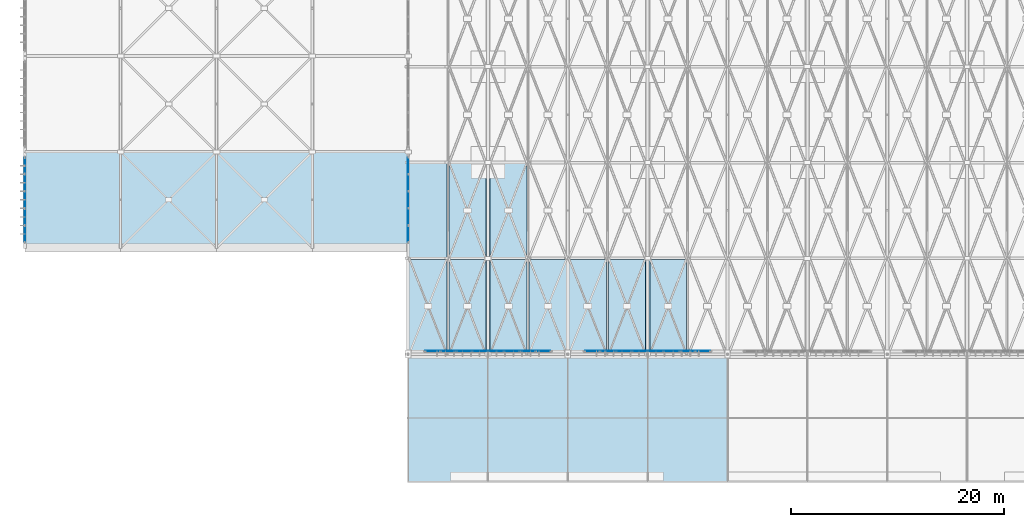
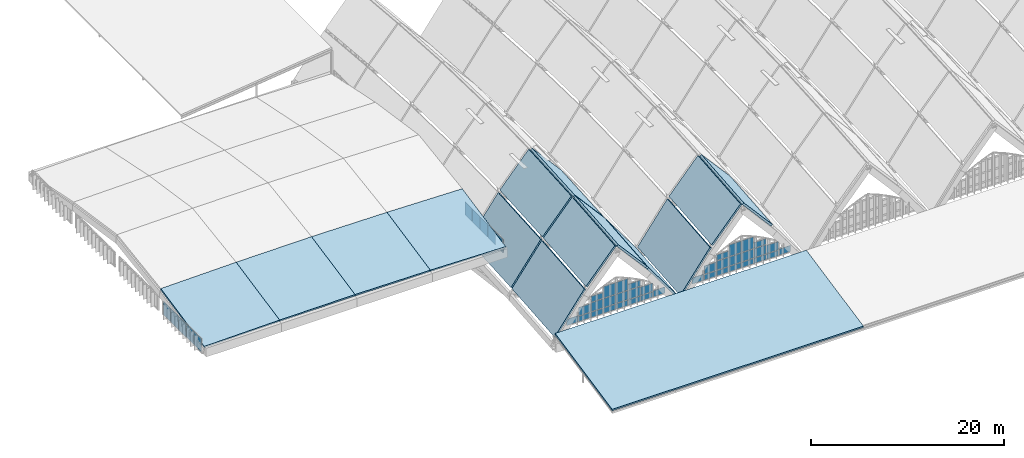
# One storey, part 56 of 93: 46 plates, 15 slabs, 5 elements without a shape of their own.
"""IFC4 building model written with IfcOpenShell, lengths in metres."""

from ifc_helpers import new_model, si_unit, direction, frame, origin, origin_2d, place, context, subcontext, project, spatial, polyline, rectangle, outline, extrude, material, layer, layer_set, type_object, element, aggregate, save


model = new_model("IFC4")

# Units and contexts
model_context = context("Model", 3, precision=1e-05, world=origin(), true_north=direction((0.0, 1.0)))
body_context = subcontext(model_context, "Body", "Model", "MODEL_VIEW")
ifc_project = project(units=[si_unit("LENGTHUNIT", "METRE"), si_unit("AREAUNIT", "SQUARE_METRE"), si_unit("VOLUMEUNIT", "CUBIC_METRE"), si_unit("PLANEANGLEUNIT", "RADIAN"), si_unit("MASSUNIT", "GRAM", prefix="KILO")], contexts=[model_context])

# Site, building, storey
site_placement = place(None, origin())
site = spatial("IfcSite", under=ifc_project, at=site_placement, CompositionType="ELEMENT")
building_placement = place(site_placement, origin())
building = spatial("IfcBuilding", under=site, at=building_placement, Name="Vourika Railside Aquatics Centre", CompositionType="ELEMENT")
storey_placement = place(building_placement, frame((0.0, 0.0, 21.89990234375)))
storey = spatial("IfcBuildingStorey", under=building, at=storey_placement, Name="Roof", CompositionType="ELEMENT", Elevation=21.89990234375)

# Curtain wall, plates
ifc_material_1 = material(Name="Anodized thermally broken aluminium", Category="aluminium")
curtain_wall_type_1 = type_object("IfcCurtainWallType", Name="CW-DIVEE", PredefinedType="NOTDEFINED", material=ifc_material_1)
curtain_wall_1_placement = place(storey_placement, origin())
curtain_wall_1 = element("IfcCurtainWall", 1, at=curtain_wall_1_placement, inside=storey, type_object=curtain_wall_type_1, Name="Diving Hall East Clerestory Curtain Wall 1", PredefinedType="NOTDEFINED")
ifc_material_2 = material(Name="Low-E solar-control laminated double glazing", Category="glass")
ifc_layer_1 = layer(ifc_material_2, 0.0400390625, Name="CWP-DIVEE")
ifc_layer_set_1 = layer_set([ifc_layer_1], Name="Low-E solar-control laminated double glazing")
plate_type_1 = type_object("IfcPlateType", Name="CWP-DIVEE", PredefinedType="CURTAIN_PANEL", material=ifc_layer_set_1)
plate_1_placement = place(storey_placement, frame((36.0, 23.302978515625, -6.223876953125), z_axis=(0.0, 0.0, 1.0), x_axis=(0.0, 1.0, 0.0)))
plate_1 = element("IfcPlate", 2, at=plate_1_placement, type_object=plate_type_1, Name="CW06 panel 1.1", PredefinedType="CURTAIN_PANEL", context=body_context, shape_type="SweptSolid", body=[
    extrude(rectangle(XDim=1.493896484375, YDim=0.0400390625, at=origin_2d()), origin(), (0.0, 0.0, 1.0), 1.64794921875),
])
plate_2_placement = place(storey_placement, frame((36.0, 24.89208984375, -6.223876953125), z_axis=(0.0, 0.0, 1.0), x_axis=(0.0, 1.0, 0.0)))
plate_2 = element("IfcPlate", 3, at=plate_2_placement, type_object=plate_type_1, Name="CW06 panel 2.1", PredefinedType="CURTAIN_PANEL", context=body_context, shape_type="SweptSolid", body=[
    extrude(rectangle(XDim=1.531982421875, YDim=0.0400390625, at=origin_2d()), origin(), (0.0, 0.0, 1.0), 1.64794921875),
])
plate_3_placement = place(storey_placement, frame((36.0, 26.5, -6.223876953125), z_axis=(0.0, 0.0, 1.0), x_axis=(0.0, 1.0, 0.0)))
plate_3 = element("IfcPlate", 4, at=plate_3_placement, type_object=plate_type_1, Name="CW06 panel 3.1", PredefinedType="CURTAIN_PANEL", context=body_context, shape_type="SweptSolid", body=[
    extrude(rectangle(XDim=1.531982421875, YDim=0.0400390625, at=origin_2d()), origin(), (0.0, 0.0, 1.0), 1.64794921875),
])
plate_4_placement = place(storey_placement, frame((36.0, 28.10791015625, -6.223876953125), z_axis=(0.0, 0.0, 1.0), x_axis=(0.0, 1.0, 0.0)))
plate_4 = element("IfcPlate", 5, at=plate_4_placement, type_object=plate_type_1, Name="CW06 panel 4.1", PredefinedType="CURTAIN_PANEL", context=body_context, shape_type="SweptSolid", body=[
    extrude(rectangle(XDim=1.531982421875, YDim=0.0400390625, at=origin_2d()), origin(), (0.0, 0.0, 1.0), 1.64794921875),
])
plate_5_placement = place(storey_placement, frame((36.0, 29.697021484375, -6.223876953125), z_axis=(0.0, 0.0, 1.0), x_axis=(0.0, 1.0, 0.0)))
plate_5 = element("IfcPlate", 6, at=plate_5_placement, type_object=plate_type_1, Name="CW06 panel 5.1", PredefinedType="CURTAIN_PANEL", context=body_context, shape_type="SweptSolid", body=[
    extrude(rectangle(XDim=1.493896484375, YDim=0.0400390625, at=origin_2d()), origin(), (0.0, 0.0, 1.0), 1.64794921875),
])
aggregate(curtain_wall_1, [plate_1, plate_2, plate_3, plate_4, plate_5])

curtain_wall_type_2 = type_object("IfcCurtainWallType", Name="CW-DIVEW", PredefinedType="NOTDEFINED", material=ifc_material_1)
curtain_wall_2_placement = place(storey_placement, origin())
curtain_wall_2 = element("IfcCurtainWall", 7, at=curtain_wall_2_placement, inside=storey, type_object=curtain_wall_type_2, Name="Diving Hall West Clerestory Curtain Wall 1", PredefinedType="NOTDEFINED")
ifc_layer_2 = layer(ifc_material_2, 0.0400390625, Name="CWP-DIVEW")
ifc_layer_set_2 = layer_set([ifc_layer_2], Name="Low-E solar-control laminated double glazing")
plate_type_2 = type_object("IfcPlateType", Name="CWP-DIVEW", PredefinedType="CURTAIN_PANEL", material=ifc_layer_set_2)
plate_6_placement = place(storey_placement, frame((0.0, 29.696533203125, -6.22216796875), z_axis=(0.0, 0.0, 1.0), x_axis=(0.0, -1.0, 0.0)))
plate_6 = element("IfcPlate", 8, at=plate_6_placement, type_object=plate_type_2, Name="CW05 panel 1.1", PredefinedType="CURTAIN_PANEL", context=body_context, shape_type="SweptSolid", body=[
    extrude(rectangle(XDim=1.490966796875, YDim=0.0400390625, at=origin_2d()), origin(), (0.0, 0.0, 1.0), 1.694091796875),
])
plate_7_placement = place(storey_placement, frame((0.0, 28.10791015625, -6.22216796875), z_axis=(0.0, 0.0, 1.0), x_axis=(0.0, -1.0, 0.0)))
plate_7 = element("IfcPlate", 9, at=plate_7_placement, type_object=plate_type_2, Name="CW05 panel 2.1", PredefinedType="CURTAIN_PANEL", context=body_context, shape_type="SweptSolid", body=[
    extrude(rectangle(XDim=1.530029296875, YDim=0.0400390625, at=origin_2d()), origin(), (0.0, 0.0, 1.0), 1.694091796875),
])
plate_8_placement = place(storey_placement, frame((0.0, 26.5, -6.22216796875), z_axis=(0.0, 0.0, 1.0), x_axis=(0.0, -1.0, 0.0)))
plate_8 = element("IfcPlate", 10, at=plate_8_placement, type_object=plate_type_2, Name="CW05 panel 3.1", PredefinedType="CURTAIN_PANEL", context=body_context, shape_type="SweptSolid", body=[
    extrude(rectangle(XDim=1.530029296875, YDim=0.0400390625, at=origin_2d()), origin(), (0.0, 0.0, 1.0), 1.694091796875),
])
plate_9_placement = place(storey_placement, frame((0.0, 24.89208984375, -6.22216796875), z_axis=(0.0, 0.0, 1.0), x_axis=(0.0, -1.0, 0.0)))
plate_9 = element("IfcPlate", 11, at=plate_9_placement, type_object=plate_type_2, Name="CW05 panel 4.1", PredefinedType="CURTAIN_PANEL", context=body_context, shape_type="SweptSolid", body=[
    extrude(rectangle(XDim=1.530029296875, YDim=0.0400390625, at=origin_2d()), origin(), (0.0, 0.0, 1.0), 1.694091796875),
])
plate_10_placement = place(storey_placement, frame((0.0, 23.303466796875, -6.22216796875), z_axis=(0.0, 0.0, 1.0), x_axis=(0.0, -1.0, 0.0)))
plate_10 = element("IfcPlate", 12, at=plate_10_placement, type_object=plate_type_2, Name="CW05 panel 5.1", PredefinedType="CURTAIN_PANEL", context=body_context, shape_type="SweptSolid", body=[
    extrude(rectangle(XDim=1.490966796875, YDim=0.0400390625, at=origin_2d()), origin(), (0.0, 0.0, 1.0), 1.694091796875),
])
aggregate(curtain_wall_2, [plate_6, plate_7, plate_8, plate_9, plate_10])

curtain_wall_type_3 = type_object("IfcCurtainWallType", Name="CW-VLTS1", PredefinedType="NOTDEFINED", material=ifc_material_1)
curtain_wall_3_placement = place(storey_placement, origin())
curtain_wall_3 = element("IfcCurtainWall", 13, at=curtain_wall_3_placement, inside=storey, type_object=curtain_wall_type_3, Name="South Boulevard Pointed-Arch Clerestory Curtain Wall Bay 1", PredefinedType="NOTDEFINED")
ifc_layer_3 = layer(ifc_material_2, 0.048095703125, Name="CWP-VLTS1")
ifc_layer_set_3 = layer_set([ifc_layer_3], Name="Low-E solar-control laminated double glazing")
plate_type_3 = type_object("IfcPlateType", Name="CWP-VLTS1", PredefinedType="CURTAIN_PANEL", material=ifc_layer_set_3)
plate_11_placement = place(storey_placement, frame((38.314208984375, 12.280029296875, -9.7978515625), z_axis=(0.0, 0.0, 1.0), x_axis=(1.0, 0.0, 0.0)))
plate_11 = element("IfcPlate", 14, at=plate_11_placement, type_object=plate_type_3, Name="CW03 glazed panel 1.1", PredefinedType="CURTAIN_PANEL", context=body_context, shape_type="SweptSolid", body=[
    extrude(rectangle(XDim=1.364501953125, YDim=0.048095703125, at=origin_2d()), origin(), (0.0, 0.0, 1.0), 0.77587890625),
])
plate_12_placement = place(storey_placement, frame((39.78125, 12.280029296875, -9.7978515625), z_axis=(0.0, 0.0, 1.0), x_axis=(1.0, 0.0, 0.0)))
plate_12 = element("IfcPlate", 15, at=plate_12_placement, type_object=plate_type_3, Name="CW03 glazed panel 2.1", PredefinedType="CURTAIN_PANEL", context=body_context, shape_type="SweptSolid", body=[
    extrude(rectangle(XDim=1.405517578125, YDim=0.048095703125, at=origin_2d()), origin(), (0.0, 0.0, 1.0), 0.656982421875),
])
plate_13_placement = place(storey_placement, frame((39.78125, 12.280029296875, -9.05908203125), z_axis=(0.0, 0.0, 1.0), x_axis=(1.0, 0.0, 0.0)))
plate_13 = element("IfcPlate", 16, at=plate_13_placement, type_object=plate_type_3, Name="CW03 glazed panel 2.2", PredefinedType="CURTAIN_PANEL", context=body_context, shape_type="SweptSolid", body=[
    extrude(rectangle(XDim=1.405517578125, YDim=0.048095703125, at=origin_2d()), origin(), (0.0, 0.0, 1.0), 1.029052734375),
])
plate_14_placement = place(storey_placement, frame((41.268798828125, 12.280029296875, -9.7978515625), z_axis=(0.0, 0.0, 1.0), x_axis=(1.0, 0.0, 0.0)))
plate_14 = element("IfcPlate", 17, at=plate_14_placement, type_object=plate_type_3, Name="CW03 glazed panel 3.1", PredefinedType="CURTAIN_PANEL", context=body_context, shape_type="SweptSolid", body=[
    extrude(rectangle(XDim=1.405517578125, YDim=0.048095703125, at=origin_2d()), origin(), (0.0, 0.0, 1.0), 0.656982421875),
])
plate_15_placement = place(storey_placement, frame((41.268798828125, 12.280029296875, -9.05908203125), z_axis=(0.0, 0.0, 1.0), x_axis=(1.0, 0.0, 0.0)))
plate_15 = element("IfcPlate", 18, at=plate_15_placement, type_object=plate_type_3, Name="CW03 glazed panel 3.2", PredefinedType="CURTAIN_PANEL", context=body_context, shape_type="SweptSolid", body=[
    extrude(rectangle(XDim=1.405517578125, YDim=0.048095703125, at=origin_2d()), origin(), (0.0, 0.0, 1.0), 1.117919921875),
])
plate_16_placement = place(storey_placement, frame((41.268798828125, 12.280029296875, -7.85888671875), z_axis=(0.0, 0.0, 1.0), x_axis=(1.0, 0.0, 0.0)))
plate_16 = element("IfcPlate", 19, at=plate_16_placement, type_object=plate_type_3, Name="CW03 glazed panel 3.3", PredefinedType="CURTAIN_PANEL", context=body_context, shape_type="SweptSolid", body=[
    extrude(rectangle(XDim=1.405517578125, YDim=0.048095703125, at=origin_2d()), origin(), (0.0, 0.0, 1.0), 0.708984375),
])
plate_17_placement = place(storey_placement, frame((42.75634765625, 12.280029296875, -9.7978515625), z_axis=(0.0, 0.0, 1.0), x_axis=(1.0, 0.0, 0.0)))
plate_17 = element("IfcPlate", 20, at=plate_17_placement, type_object=plate_type_3, Name="CW03 glazed panel 4.1", PredefinedType="CURTAIN_PANEL", context=body_context, shape_type="SweptSolid", body=[
    extrude(rectangle(XDim=1.405517578125, YDim=0.048095703125, at=origin_2d()), origin(), (0.0, 0.0, 1.0), 0.656982421875),
])
plate_18_placement = place(storey_placement, frame((42.75634765625, 12.280029296875, -9.05908203125), z_axis=(0.0, 0.0, 1.0), x_axis=(1.0, 0.0, 0.0)))
plate_18 = element("IfcPlate", 21, at=plate_18_placement, type_object=plate_type_3, Name="CW03 glazed panel 4.2", PredefinedType="CURTAIN_PANEL", context=body_context, shape_type="SweptSolid", body=[
    extrude(rectangle(XDim=1.405517578125, YDim=0.048095703125, at=origin_2d()), origin(), (0.0, 0.0, 1.0), 1.117919921875),
])
plate_19_placement = place(storey_placement, frame((42.75634765625, 12.280029296875, -7.85888671875), z_axis=(0.0, 0.0, 1.0), x_axis=(1.0, 0.0, 0.0)))
plate_19 = element("IfcPlate", 22, at=plate_19_placement, type_object=plate_type_3, Name="CW03 glazed panel 4.3", PredefinedType="CURTAIN_PANEL", context=body_context, shape_type="SweptSolid", body=[
    extrude(rectangle(XDim=1.405517578125, YDim=0.048095703125, at=origin_2d()), origin(), (0.0, 0.0, 1.0), 1.446044921875),
])
plate_20_placement = place(storey_placement, frame((44.24365234375, 12.280029296875, -9.7978515625), z_axis=(0.0, 0.0, 1.0), x_axis=(1.0, 0.0, 0.0)))
plate_20 = element("IfcPlate", 23, at=plate_20_placement, type_object=plate_type_3, Name="CW03 glazed panel 5.1", PredefinedType="CURTAIN_PANEL", context=body_context, shape_type="SweptSolid", body=[
    extrude(rectangle(XDim=1.405517578125, YDim=0.048095703125, at=origin_2d()), origin(), (0.0, 0.0, 1.0), 0.656982421875),
])
plate_21_placement = place(storey_placement, frame((44.24365234375, 12.280029296875, -9.05908203125), z_axis=(0.0, 0.0, 1.0), x_axis=(1.0, 0.0, 0.0)))
plate_21 = element("IfcPlate", 24, at=plate_21_placement, type_object=plate_type_3, Name="CW03 glazed panel 5.2", PredefinedType="CURTAIN_PANEL", context=body_context, shape_type="SweptSolid", body=[
    extrude(rectangle(XDim=1.405517578125, YDim=0.048095703125, at=origin_2d()), origin(), (0.0, 0.0, 1.0), 1.117919921875),
])
plate_22_placement = place(storey_placement, frame((44.24365234375, 12.280029296875, -7.85888671875), z_axis=(0.0, 0.0, 1.0), x_axis=(1.0, 0.0, 0.0)))
plate_22 = element("IfcPlate", 25, at=plate_22_placement, type_object=plate_type_3, Name="CW03 glazed panel 5.3", PredefinedType="CURTAIN_PANEL", context=body_context, shape_type="SweptSolid", body=[
    extrude(rectangle(XDim=1.405517578125, YDim=0.048095703125, at=origin_2d()), origin(), (0.0, 0.0, 1.0), 1.446044921875),
])
plate_23_placement = place(storey_placement, frame((45.731201171875, 12.280029296875, -9.7978515625), z_axis=(0.0, 0.0, 1.0), x_axis=(1.0, 0.0, 0.0)))
plate_23 = element("IfcPlate", 26, at=plate_23_placement, type_object=plate_type_3, Name="CW03 glazed panel 6.1", PredefinedType="CURTAIN_PANEL", context=body_context, shape_type="SweptSolid", body=[
    extrude(rectangle(XDim=1.405517578125, YDim=0.048095703125, at=origin_2d()), origin(), (0.0, 0.0, 1.0), 0.656982421875),
])
plate_24_placement = place(storey_placement, frame((45.731201171875, 12.280029296875, -9.05908203125), z_axis=(0.0, 0.0, 1.0), x_axis=(1.0, 0.0, 0.0)))
plate_24 = element("IfcPlate", 27, at=plate_24_placement, type_object=plate_type_3, Name="CW03 glazed panel 6.2", PredefinedType="CURTAIN_PANEL", context=body_context, shape_type="SweptSolid", body=[
    extrude(rectangle(XDim=1.405517578125, YDim=0.048095703125, at=origin_2d()), origin(), (0.0, 0.0, 1.0), 1.117919921875),
])
plate_25_placement = place(storey_placement, frame((45.731201171875, 12.280029296875, -7.85888671875), z_axis=(0.0, 0.0, 1.0), x_axis=(1.0, 0.0, 0.0)))
plate_25 = element("IfcPlate", 28, at=plate_25_placement, type_object=plate_type_3, Name="CW03 glazed panel 6.3", PredefinedType="CURTAIN_PANEL", context=body_context, shape_type="SweptSolid", body=[
    extrude(rectangle(XDim=1.405517578125, YDim=0.048095703125, at=origin_2d()), origin(), (0.0, 0.0, 1.0), 0.708984375),
])
plate_26_placement = place(storey_placement, frame((47.21875, 12.280029296875, -9.7978515625), z_axis=(0.0, 0.0, 1.0), x_axis=(1.0, 0.0, 0.0)))
plate_26 = element("IfcPlate", 29, at=plate_26_placement, type_object=plate_type_3, Name="CW03 glazed panel 7.1", PredefinedType="CURTAIN_PANEL", context=body_context, shape_type="SweptSolid", body=[
    extrude(rectangle(XDim=1.405517578125, YDim=0.048095703125, at=origin_2d()), origin(), (0.0, 0.0, 1.0), 0.656982421875),
])
plate_27_placement = place(storey_placement, frame((47.21875, 12.280029296875, -9.05908203125), z_axis=(0.0, 0.0, 1.0), x_axis=(1.0, 0.0, 0.0)))
plate_27 = element("IfcPlate", 30, at=plate_27_placement, type_object=plate_type_3, Name="CW03 glazed panel 7.2", PredefinedType="CURTAIN_PANEL", context=body_context, shape_type="SweptSolid", body=[
    extrude(rectangle(XDim=1.405517578125, YDim=0.048095703125, at=origin_2d()), origin(), (0.0, 0.0, 1.0), 1.029052734375),
])
plate_28_placement = place(storey_placement, frame((48.685791015625, 12.280029296875, -9.7978515625), z_axis=(0.0, 0.0, 1.0), x_axis=(1.0, 0.0, 0.0)))
plate_28 = element("IfcPlate", 31, at=plate_28_placement, type_object=plate_type_3, Name="CW03 glazed panel 8.1", PredefinedType="CURTAIN_PANEL", context=body_context, shape_type="SweptSolid", body=[
    extrude(rectangle(XDim=1.364501953125, YDim=0.048095703125, at=origin_2d()), origin(), (0.0, 0.0, 1.0), 0.77587890625),
])
aggregate(curtain_wall_3, [plate_11, plate_12, plate_13, plate_14, plate_15, plate_16, plate_17, plate_18, plate_19, plate_20, plate_21, plate_22, plate_23, plate_24, plate_25, plate_26, plate_27, plate_28])

curtain_wall_4_placement = place(storey_placement, origin())
curtain_wall_4 = element("IfcCurtainWall", 32, at=curtain_wall_4_placement, inside=storey, type_object=curtain_wall_type_3, Name="South Boulevard Pointed-Arch Clerestory Curtain Wall Bay 2", PredefinedType="NOTDEFINED")
plate_29_placement = place(storey_placement, frame((53.314208984375, 12.280029296875, -9.7978515625), z_axis=(0.0, 0.0, 1.0), x_axis=(1.0, 0.0, 0.0)))
plate_29 = element("IfcPlate", 33, at=plate_29_placement, type_object=plate_type_3, Name="CW03 glazed panel 1.1", PredefinedType="CURTAIN_PANEL", context=body_context, shape_type="SweptSolid", body=[
    extrude(rectangle(XDim=1.364501953125, YDim=0.048095703125, at=origin_2d()), origin(), (0.0, 0.0, 1.0), 0.77587890625),
])
plate_30_placement = place(storey_placement, frame((54.78125, 12.280029296875, -9.7978515625), z_axis=(0.0, 0.0, 1.0), x_axis=(1.0, 0.0, 0.0)))
plate_30 = element("IfcPlate", 34, at=plate_30_placement, type_object=plate_type_3, Name="CW03 glazed panel 2.1", PredefinedType="CURTAIN_PANEL", context=body_context, shape_type="SweptSolid", body=[
    extrude(rectangle(XDim=1.405517578125, YDim=0.048095703125, at=origin_2d()), origin(), (0.0, 0.0, 1.0), 0.656982421875),
])
plate_31_placement = place(storey_placement, frame((54.78125, 12.280029296875, -9.05908203125), z_axis=(0.0, 0.0, 1.0), x_axis=(1.0, 0.0, 0.0)))
plate_31 = element("IfcPlate", 35, at=plate_31_placement, type_object=plate_type_3, Name="CW03 glazed panel 2.2", PredefinedType="CURTAIN_PANEL", context=body_context, shape_type="SweptSolid", body=[
    extrude(rectangle(XDim=1.405517578125, YDim=0.048095703125, at=origin_2d()), origin(), (0.0, 0.0, 1.0), 1.029052734375),
])
plate_32_placement = place(storey_placement, frame((56.268798828125, 12.280029296875, -9.7978515625), z_axis=(0.0, 0.0, 1.0), x_axis=(1.0, 0.0, 0.0)))
plate_32 = element("IfcPlate", 36, at=plate_32_placement, type_object=plate_type_3, Name="CW03 glazed panel 3.1", PredefinedType="CURTAIN_PANEL", context=body_context, shape_type="SweptSolid", body=[
    extrude(rectangle(XDim=1.405517578125, YDim=0.048095703125, at=origin_2d()), origin(), (0.0, 0.0, 1.0), 0.656982421875),
])
plate_33_placement = place(storey_placement, frame((56.268798828125, 12.280029296875, -9.05908203125), z_axis=(0.0, 0.0, 1.0), x_axis=(1.0, 0.0, 0.0)))
plate_33 = element("IfcPlate", 37, at=plate_33_placement, type_object=plate_type_3, Name="CW03 glazed panel 3.2", PredefinedType="CURTAIN_PANEL", context=body_context, shape_type="SweptSolid", body=[
    extrude(rectangle(XDim=1.405517578125, YDim=0.048095703125, at=origin_2d()), origin(), (0.0, 0.0, 1.0), 1.117919921875),
])
plate_34_placement = place(storey_placement, frame((56.268798828125, 12.280029296875, -7.85888671875), z_axis=(0.0, 0.0, 1.0), x_axis=(1.0, 0.0, 0.0)))
plate_34 = element("IfcPlate", 38, at=plate_34_placement, type_object=plate_type_3, Name="CW03 glazed panel 3.3", PredefinedType="CURTAIN_PANEL", context=body_context, shape_type="SweptSolid", body=[
    extrude(rectangle(XDim=1.405517578125, YDim=0.048095703125, at=origin_2d()), origin(), (0.0, 0.0, 1.0), 0.708984375),
])
plate_35_placement = place(storey_placement, frame((57.75634765625, 12.280029296875, -9.7978515625), z_axis=(0.0, 0.0, 1.0), x_axis=(1.0, 0.0, 0.0)))
plate_35 = element("IfcPlate", 39, at=plate_35_placement, type_object=plate_type_3, Name="CW03 glazed panel 4.1", PredefinedType="CURTAIN_PANEL", context=body_context, shape_type="SweptSolid", body=[
    extrude(rectangle(XDim=1.405517578125, YDim=0.048095703125, at=origin_2d()), origin(), (0.0, 0.0, 1.0), 0.656982421875),
])
plate_36_placement = place(storey_placement, frame((57.75634765625, 12.280029296875, -9.05908203125), z_axis=(0.0, 0.0, 1.0), x_axis=(1.0, 0.0, 0.0)))
plate_36 = element("IfcPlate", 40, at=plate_36_placement, type_object=plate_type_3, Name="CW03 glazed panel 4.2", PredefinedType="CURTAIN_PANEL", context=body_context, shape_type="SweptSolid", body=[
    extrude(rectangle(XDim=1.405517578125, YDim=0.048095703125, at=origin_2d()), origin(), (0.0, 0.0, 1.0), 1.117919921875),
])
plate_37_placement = place(storey_placement, frame((57.75634765625, 12.280029296875, -7.85888671875), z_axis=(0.0, 0.0, 1.0), x_axis=(1.0, 0.0, 0.0)))
plate_37 = element("IfcPlate", 41, at=plate_37_placement, type_object=plate_type_3, Name="CW03 glazed panel 4.3", PredefinedType="CURTAIN_PANEL", context=body_context, shape_type="SweptSolid", body=[
    extrude(rectangle(XDim=1.405517578125, YDim=0.048095703125, at=origin_2d()), origin(), (0.0, 0.0, 1.0), 1.446044921875),
])
plate_38_placement = place(storey_placement, frame((59.24365234375, 12.280029296875, -9.7978515625), z_axis=(0.0, 0.0, 1.0), x_axis=(1.0, 0.0, 0.0)))
plate_38 = element("IfcPlate", 42, at=plate_38_placement, type_object=plate_type_3, Name="CW03 glazed panel 5.1", PredefinedType="CURTAIN_PANEL", context=body_context, shape_type="SweptSolid", body=[
    extrude(rectangle(XDim=1.405517578125, YDim=0.048095703125, at=origin_2d()), origin(), (0.0, 0.0, 1.0), 0.656982421875),
])
plate_39_placement = place(storey_placement, frame((59.24365234375, 12.280029296875, -9.05908203125), z_axis=(0.0, 0.0, 1.0), x_axis=(1.0, 0.0, 0.0)))
plate_39 = element("IfcPlate", 43, at=plate_39_placement, type_object=plate_type_3, Name="CW03 glazed panel 5.2", PredefinedType="CURTAIN_PANEL", context=body_context, shape_type="SweptSolid", body=[
    extrude(rectangle(XDim=1.405517578125, YDim=0.048095703125, at=origin_2d()), origin(), (0.0, 0.0, 1.0), 1.117919921875),
])
plate_40_placement = place(storey_placement, frame((59.24365234375, 12.280029296875, -7.85888671875), z_axis=(0.0, 0.0, 1.0), x_axis=(1.0, 0.0, 0.0)))
plate_40 = element("IfcPlate", 44, at=plate_40_placement, type_object=plate_type_3, Name="CW03 glazed panel 5.3", PredefinedType="CURTAIN_PANEL", context=body_context, shape_type="SweptSolid", body=[
    extrude(rectangle(XDim=1.405517578125, YDim=0.048095703125, at=origin_2d()), origin(), (0.0, 0.0, 1.0), 1.446044921875),
])
plate_41_placement = place(storey_placement, frame((60.731201171875, 12.280029296875, -9.7978515625), z_axis=(0.0, 0.0, 1.0), x_axis=(1.0, 0.0, 0.0)))
plate_41 = element("IfcPlate", 45, at=plate_41_placement, type_object=plate_type_3, Name="CW03 glazed panel 6.1", PredefinedType="CURTAIN_PANEL", context=body_context, shape_type="SweptSolid", body=[
    extrude(rectangle(XDim=1.405517578125, YDim=0.048095703125, at=origin_2d()), origin(), (0.0, 0.0, 1.0), 0.656982421875),
])
plate_42_placement = place(storey_placement, frame((60.731201171875, 12.280029296875, -9.05908203125), z_axis=(0.0, 0.0, 1.0), x_axis=(1.0, 0.0, 0.0)))
plate_42 = element("IfcPlate", 46, at=plate_42_placement, type_object=plate_type_3, Name="CW03 glazed panel 6.2", PredefinedType="CURTAIN_PANEL", context=body_context, shape_type="SweptSolid", body=[
    extrude(rectangle(XDim=1.405517578125, YDim=0.048095703125, at=origin_2d()), origin(), (0.0, 0.0, 1.0), 1.117919921875),
])
plate_43_placement = place(storey_placement, frame((60.731201171875, 12.280029296875, -7.85888671875), z_axis=(0.0, 0.0, 1.0), x_axis=(1.0, 0.0, 0.0)))
plate_43 = element("IfcPlate", 47, at=plate_43_placement, type_object=plate_type_3, Name="CW03 glazed panel 6.3", PredefinedType="CURTAIN_PANEL", context=body_context, shape_type="SweptSolid", body=[
    extrude(rectangle(XDim=1.405517578125, YDim=0.048095703125, at=origin_2d()), origin(), (0.0, 0.0, 1.0), 0.708984375),
])
plate_44_placement = place(storey_placement, frame((62.21875, 12.280029296875, -9.7978515625), z_axis=(0.0, 0.0, 1.0), x_axis=(1.0, 0.0, 0.0)))
plate_44 = element("IfcPlate", 48, at=plate_44_placement, type_object=plate_type_3, Name="CW03 glazed panel 7.1", PredefinedType="CURTAIN_PANEL", context=body_context, shape_type="SweptSolid", body=[
    extrude(rectangle(XDim=1.405517578125, YDim=0.048095703125, at=origin_2d()), origin(), (0.0, 0.0, 1.0), 0.656982421875),
])
plate_45_placement = place(storey_placement, frame((62.21875, 12.280029296875, -9.05908203125), z_axis=(0.0, 0.0, 1.0), x_axis=(1.0, 0.0, 0.0)))
plate_45 = element("IfcPlate", 49, at=plate_45_placement, type_object=plate_type_3, Name="CW03 glazed panel 7.2", PredefinedType="CURTAIN_PANEL", context=body_context, shape_type="SweptSolid", body=[
    extrude(rectangle(XDim=1.405517578125, YDim=0.048095703125, at=origin_2d()), origin(), (0.0, 0.0, 1.0), 1.029052734375),
])
plate_46_placement = place(storey_placement, frame((63.685791015625, 12.280029296875, -9.7978515625), z_axis=(0.0, 0.0, 1.0), x_axis=(1.0, 0.0, 0.0)))
plate_46 = element("IfcPlate", 50, at=plate_46_placement, type_object=plate_type_3, Name="CW03 glazed panel 8.1", PredefinedType="CURTAIN_PANEL", context=body_context, shape_type="SweptSolid", body=[
    extrude(rectangle(XDim=1.364501953125, YDim=0.048095703125, at=origin_2d()), origin(), (0.0, 0.0, 1.0), 0.77587890625),
])
aggregate(curtain_wall_4, [plate_29, plate_30, plate_31, plate_32, plate_33, plate_34, plate_35, plate_36, plate_37, plate_38, plate_39, plate_40, plate_41, plate_42, plate_43, plate_44, plate_45, plate_46])

# Slab
ifc_material_3 = material(Name="Concrete C35/45", Category="concrete")
ifc_layer_4 = layer(ifc_material_3, 0.22998046875, Name="SLB-ROOF-EAV230")
ifc_layer_set_4 = layer_set([ifc_layer_4], Name="Concrete C35/45")
slab_type_1 = type_object("IfcSlabType", Name="SLB-ROOF-EAV230", PredefinedType="ROOF", material=ifc_layer_set_4)
slab_1_placement = place(storey_placement, frame((36.0, 0.0, -12.349853515625), z_axis=(0.0, -0.201693516956, 0.979448684321), x_axis=(1.0, 0.0, 0.0)))
element("IfcSlab", 51, at=slab_1_placement, inside=storey, type_object=slab_type_1, Name="Changing Village Sloped Monsoon Eave Roof S1", PredefinedType="ROOF", context=body_context, shape_type="SweptSolid", body=[
    extrude(outline(polyline([(0.0, 0.0), (30.0, 0.0), (30.0, 12.047643758189595), (0.0, 12.047643758189595), (0.0, 0.0)])), origin(), (0.0, 0.0, -1.0), 0.22998046875),
])

# Roof, slabs
ifc_material_4 = material(Name="Glulam GL32h", Category="wood")
ifc_layer_5 = layer(ifc_material_4, 0.239990234375, Name="ROOF-VAULT-SYS")
ifc_layer_set_5 = layer_set([ifc_layer_5], Name="Glulam GL32h")
roof_type = type_object("IfcRoofType", Name="ROOF-VAULT-SYS", PredefinedType="BARREL_ROOF", material=ifc_layer_set_5)
roof_placement = place(storey_placement, origin())
roof = element("IfcRoof", 52, at=roof_placement, inside=storey, type_object=roof_type, Name="Pointed Glulam Gridshell Vault Roof Assembly", PredefinedType="BARREL_ROOF")
ifc_material_5 = material(Name="Glulam GL28h", Category="wood")
ifc_layer_6 = layer(ifc_material_5, 0.22509765625, Name="SLB-ROOF-SHL225")
ifc_layer_set_6 = layer_set([ifc_layer_6], Name="Glulam GL28h")
slab_type_2 = type_object("IfcSlabType", Name="SLB-ROOF-SHL225", PredefinedType="ROOF", material=ifc_layer_set_6)
slab_2_placement = place(storey_placement, frame((0.0, 22.0, -5.14990234375), z_axis=(-0.019233939125, -0.201318771665, 0.979336922494), x_axis=(0.999807195748, 0.0, 0.019635970316)))
slab_2 = element("IfcSlab", 53, at=slab_2_placement, type_object=slab_type_2, Name="Diving Hall Pointed Shell Roof Panel 169", PredefinedType="ROOF", context=body_context, shape_type="SweptSolid", body=[
    extrude(outline(polyline([(0.0, 0.0), (9.001735572892585, 0.0), (9.038064035552042, 9.188119588929096), (0.03632846265945622, 9.188119588929094), (0.0, 0.0)])), origin(), (0.0, 0.0, -1.0), 0.22509765625),
])
slab_3_placement = place(storey_placement, frame((9.0, 22.0, -4.97314453125), z_axis=(-0.007971085644, -0.201349623376, 0.979487003977), x_axis=(0.999966887953, 0.0, 0.008137751367)))
slab_3 = element("IfcSlab", 54, at=slab_3_placement, type_object=slab_type_2, Name="Diving Hall Pointed Shell Roof Panel 173", PredefinedType="ROOF", context=body_context, shape_type="SweptSolid", body=[
    extrude(outline(polyline([(0.0, 0.0), (9.000298018289717, 0.0), (9.01535365302059, 9.188179072347504), (0.01505563473087333, 9.188179072347504), (0.0, 0.0)])), origin(), (0.0, 0.0, -1.0), 0.22509765625),
])
slab_4_placement = place(storey_placement, frame((18.0, 22.0, -4.89990234375), z_axis=(0.007971085644, -0.201349623376, 0.979487003977), x_axis=(0.999966887953, 0.0, -0.008137751367)))
slab_4 = element("IfcSlab", 55, at=slab_4_placement, type_object=slab_type_2, Name="Diving Hall Pointed Shell Roof Panel 177", PredefinedType="ROOF", context=body_context, shape_type="SweptSolid", body=[
    extrude(outline(polyline([(0.0, 0.0), (9.000298018289717, 0.0), (8.985242383558843, 9.188179072347504), (-0.01505563473087333, 9.188179072347504), (0.0, 0.0)])), origin(), (0.0, 0.0, -1.0), 0.22509765625),
])
slab_5_placement = place(storey_placement, frame((27.0, 22.0, -4.97314453125), z_axis=(0.019233939125, -0.201318771665, 0.979336922494), x_axis=(0.999807195748, 0.0, -0.019635970316)))
slab_5 = element("IfcSlab", 56, at=slab_5_placement, type_object=slab_type_2, Name="Diving Hall Pointed Shell Roof Panel 181", PredefinedType="ROOF", context=body_context, shape_type="SweptSolid", body=[
    extrude(outline(polyline([(0.0, 0.0), (9.001735572892585, 0.0), (8.965407110233128, 9.188119588929094), (-0.03632846265945622, 9.188119588929094), (0.0, 0.0)])), origin(), (0.0, 0.0, -1.0), 0.22509765625),
])
ifc_layer_7 = layer(ifc_material_5, 0.239990234375, Name="SLB-ROOF-VLT240")
ifc_layer_set_7 = layer_set([ifc_layer_7], Name="Glulam GL28h")
slab_type_3 = type_object("IfcSlabType", Name="SLB-ROOF-VLT240", PredefinedType="ROOF", material=ifc_layer_set_7)
slab_6_placement = place(storey_placement, frame((36.094970703125, 12.094970703125, -10.61181640625), z_axis=(-0.80452801332, -0.05260713157, 0.591580227434), x_axis=(0.592400532663, 0.0, 0.80564359918)))
slab_6 = element("IfcSlab", 57, at=slab_6_placement, type_object=slab_type_3, Name="Bay 1 Pointed Timber Roof Deck Panel 001", PredefinedType="ROOF", context=body_context, shape_type="SweptSolid", body=[
    extrude(outline(polyline([(0.0, 0.0), (6.009546577793309, 0.0), (6.640725852639392, 8.822274920128496), (0.6311792748460823, 8.822274920128496), (0.0, 0.0)])), origin(), (0.0, 0.0, -1.0), 0.239990234375),
])
slab_7_placement = place(storey_placement, frame((39.844970703125, 12.094970703125, -5.531982421875), z_axis=(-0.752364776824, -0.058349751553, 0.656157411821), x_axis=(0.657277279678, 0.0, 0.753648842379)))
slab_7 = element("IfcSlab", 58, at=slab_7_placement, type_object=slab_type_3, Name="Bay 1 Pointed Timber Roof Deck Panel 002", PredefinedType="ROOF", context=body_context, shape_type="SweptSolid", body=[
    extrude(outline(polyline([(0.0, 0.0), (5.2566523015834505, 0.0), (5.847096426386386, 8.825094774494447), (0.5904441248029355, 8.825094774494449), (0.0, 0.0)])), origin(), (0.0, 0.0, -1.0), 0.239990234375),
])
slab_8_placement = place(storey_placement, frame((43.699951171875, 12.094970703125, -1.5703125), z_axis=(0.752364776824, -0.058349751553, 0.656157411821), x_axis=(0.657277279678, 0.0, -0.753648842379)))
slab_8 = element("IfcSlab", 59, at=slab_8_placement, type_object=slab_type_3, Name="Bay 1 Pointed Timber Roof Deck Panel 003", PredefinedType="ROOF", context=body_context, shape_type="SweptSolid", body=[
    extrude(outline(polyline([(0.0, 0.0), (5.2566523015834505, 0.0), (4.666208176780515, 8.825094774494449), (-0.5904441248029355, 8.825094774494449), (0.0, 0.0)])), origin(), (0.0, 0.0, -1.0), 0.239990234375),
])
slab_9_placement = place(storey_placement, frame((47.344970703125, 12.094970703125, -5.770263671875), z_axis=(0.80452801332, -0.05260713157, 0.591580227434), x_axis=(0.592400532663, 0.0, -0.80564359918)))
slab_9 = element("IfcSlab", 60, at=slab_9_placement, type_object=slab_type_3, Name="Bay 1 Pointed Timber Roof Deck Panel 004", PredefinedType="ROOF", context=body_context, shape_type="SweptSolid", body=[
    extrude(outline(polyline([(0.0, 0.0), (6.009546577793309, 0.0), (5.378367302947226, 8.822274920128496), (-0.6311792748460823, 8.822274920128496), (0.0, 0.0)])), origin(), (0.0, 0.0, -1.0), 0.239990234375),
])
slab_10_placement = place(storey_placement, frame((36.094970703125, 21.094970703125, -9.81298828125), z_axis=(-0.805045258731, -0.038533374909, 0.591960564914), x_axis=(0.592400532663, 0.0, 0.80564359918)))
slab_10 = element("IfcSlab", 61, at=slab_10_placement, type_object=slab_type_3, Name="Bay 1 Pointed Timber Roof Deck Panel 005", PredefinedType="ROOF", context=body_context, shape_type="SweptSolid", body=[
    extrude(outline(polyline([(0.0, 0.0), (6.009546577793309, 0.0), (6.471572167264624, 8.816606566504385), (0.46202558947131417, 8.816606566504385), (0.0, 0.0)])), origin(), (0.0, 0.0, -1.0), 0.239990234375),
])
slab_11_placement = place(storey_placement, frame((39.844970703125, 21.094970703125, -4.7333984375), z_axis=(-0.752980078638, -0.042744533256, 0.656653566236), x_axis=(0.657254273789, 0.0, 0.753668905811)))
slab_11 = element("IfcSlab", 62, at=slab_11_placement, type_object=slab_type_3, Name="Bay 1 Pointed Timber Roof Deck Panel 006", PredefinedType="ROOF", context=body_context, shape_type="SweptSolid", body=[
    extrude(outline(polyline([(0.0, 0.0), (5.2568363003320515, -2.7755575615628914e-17), (5.6890551137477186, 8.81811804702024), (0.43221881341566754, 8.81811804702024), (0.0, 0.0)])), origin(), (0.0, 0.0, -1.0), 0.239990234375),
])
slab_12_placement = place(storey_placement, frame((43.699951171875, 21.094970703125, -0.771484375), z_axis=(0.752980078638, -0.042744533256, 0.656653566236), x_axis=(0.657254273789, 0.0, -0.753668905811)))
slab_12 = element("IfcSlab", 63, at=slab_12_placement, type_object=slab_type_3, Name="Bay 1 Pointed Timber Roof Deck Panel 007", PredefinedType="ROOF", context=body_context, shape_type="SweptSolid", body=[
    extrude(outline(polyline([(0.0, 0.0), (5.2568363003320515, 2.7755575615628914e-17), (4.824617486916384, 8.81811804702024), (-0.43221881341566754, 8.81811804702024), (0.0, 0.0)])), origin(), (0.0, 0.0, -1.0), 0.239990234375),
])
slab_13_placement = place(storey_placement, frame((51.094970703125, 12.094970703125, -10.61181640625), z_axis=(-0.80452801332, -0.05260713157, 0.591580227434), x_axis=(0.592400532663, 0.0, 0.80564359918)))
slab_13 = element("IfcSlab", 64, at=slab_13_placement, type_object=slab_type_3, Name="Bay 2 Pointed Timber Roof Deck Panel 025", PredefinedType="ROOF", context=body_context, shape_type="SweptSolid", body=[
    extrude(outline(polyline([(0.0, 0.0), (6.009546577793309, 0.0), (6.640725852639392, 8.822274920128496), (0.6311792748460823, 8.822274920128496), (0.0, 0.0)])), origin(), (0.0, 0.0, -1.0), 0.239990234375),
])
slab_14_placement = place(storey_placement, frame((54.844970703125, 12.094970703125, -5.531982421875), z_axis=(-0.752364776824, -0.058349751553, 0.656157411821), x_axis=(0.657277279678, 0.0, 0.753648842379)))
slab_14 = element("IfcSlab", 65, at=slab_14_placement, type_object=slab_type_3, Name="Bay 2 Pointed Timber Roof Deck Panel 026", PredefinedType="ROOF", context=body_context, shape_type="SweptSolid", body=[
    extrude(outline(polyline([(0.0, 0.0), (5.2566523015834505, 0.0), (5.847096426386386, 8.825094774494447), (0.5904441248029355, 8.825094774494449), (0.0, 0.0)])), origin(), (0.0, 0.0, -1.0), 0.239990234375),
])
slab_15_placement = place(storey_placement, frame((58.699951171875, 12.094970703125, -1.5703125), z_axis=(0.752364776824, -0.058349751553, 0.656157411821), x_axis=(0.657277279678, 0.0, -0.753648842379)))
slab_15 = element("IfcSlab", 66, at=slab_15_placement, type_object=slab_type_3, Name="Bay 2 Pointed Timber Roof Deck Panel 027", PredefinedType="ROOF", context=body_context, shape_type="SweptSolid", body=[
    extrude(outline(polyline([(0.0, 0.0), (5.2566523015834505, 0.0), (4.666208176780515, 8.825094774494449), (-0.5904441248029355, 8.825094774494449), (0.0, 0.0)])), origin(), (0.0, 0.0, -1.0), 0.239990234375),
])
aggregate(roof, [slab_6, slab_7, slab_8, slab_9, slab_10, slab_11, slab_12, slab_13, slab_14, slab_15, slab_2, slab_3, slab_4, slab_5])

save(model, "model.ifc")
